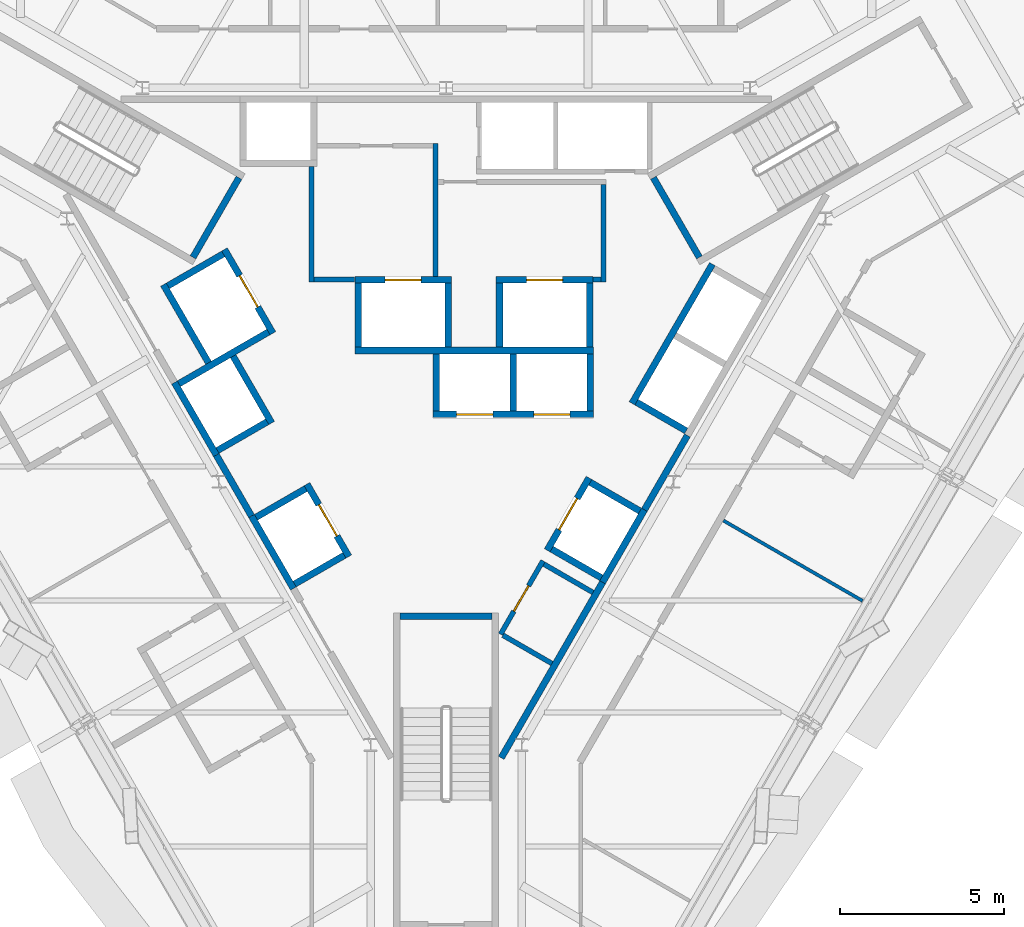
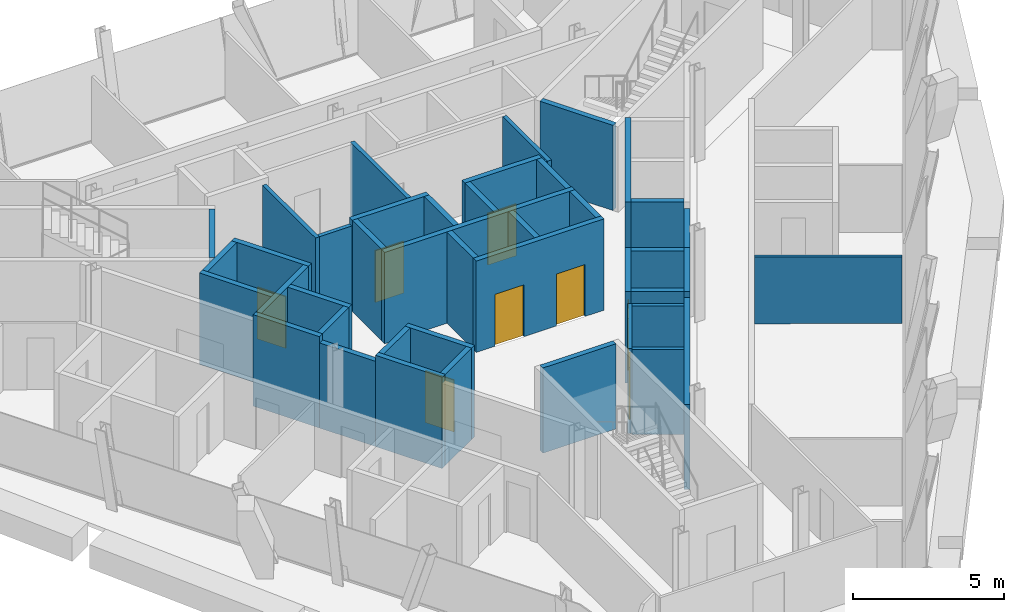
# One storey, part 7 of 10: 43 walls, 8 doors, 8 openings.
"""IFC4 building model written with IfcOpenShell, lengths in metres."""

from ifc_helpers import new_model, si_unit, direction, frame, frame_2d, origin, place, context, subcontext, project, spatial, rectangle, extrude, material, layer, layer_set, type_object, element, fill, save


model = new_model("IFC4")

# Units and contexts
model_context = context("Model", 3, precision=1e-05, world=origin(), true_north=direction((0.0, 1.0)))
body_context = subcontext(model_context, "Body", "Model", "MODEL_VIEW")
ifc_project = project(units=[si_unit("LENGTHUNIT", "METRE"), si_unit("AREAUNIT", "SQUARE_METRE"), si_unit("VOLUMEUNIT", "CUBIC_METRE"), si_unit("PLANEANGLEUNIT", "RADIAN"), si_unit("MASSUNIT", "GRAM", prefix="KILO")], contexts=[model_context])

# Site, building, storey
site_placement = place(None, origin())
site = spatial("IfcSite", under=ifc_project, at=site_placement, CompositionType="ELEMENT")
building_placement = place(site_placement, origin())
building = spatial("IfcBuilding", under=site, at=building_placement, Name="Verrane Prism Tower", CompositionType="ELEMENT")
storey_placement = place(building_placement, frame((0.0, 0.0, 213.800048828125)))
storey = spatial("IfcBuildingStorey", under=building, at=storey_placement, Name="L53", CompositionType="ELEMENT", Elevation=213.800048828125)

# Walls
ifc_material_1 = material(Name="Gypsum board partition", Category="other")
ifc_layer_1 = layer(ifc_material_1, 0.199951171875)
ifc_layer_set_1 = layer_set([ifc_layer_1], Name="CW-200 core boundary wall 2 h")
wall_type_1 = type_object("IfcWallType", Name="CW-200 core boundary wall 2 h", PredefinedType="PARTITIONING", material=ifc_layer_set_1)
wall_1_placement = place(storey_placement, frame((-7.0048828125, -3.18701171875, 0.0), z_axis=(0.0, 0.0, 1.0), x_axis=(0.499689606989, -0.866204535123, 0.0)))
element("IfcWall", 1, at=wall_1_placement, inside=storey, type_object=wall_type_1, Name="Core boundary wall CW3-003", PredefinedType="PARTITIONING", context=body_context, shape_type="SweptSolid", body=[
    extrude(rectangle(XDim=2.144775390625, YDim=0.199951171875, at=frame_2d((1.072265625, 0.0))), origin(), (0.0, 0.0, 1.0), 3.449951171875),
])
wall_2_placement = place(storey_placement, frame((1.677490234375, -12.414794921875, 0.0), z_axis=(0.0, 0.0, 1.0), x_axis=(0.500054337157, 0.865994029939, 0.0)))
element("IfcWall", 2, at=wall_2_placement, inside=storey, type_object=wall_type_1, Name="Core boundary wall CW3-006", PredefinedType="PARTITIONING", context=body_context, shape_type="SweptSolid", body=[
    extrude(rectangle(XDim=6.176513671875, YDim=0.199951171875, at=frame_2d((3.08837890625, 0.0))), origin(), (0.0, 0.0, 1.0), 3.449951171875),
])
wall_3_placement = place(storey_placement, frame((6.0419921875, -4.85498046875, 0.0), z_axis=(0.0, 0.0, 1.0), x_axis=(0.500252727967, 0.865879442048, 0.0)))
element("IfcWall", 3, at=wall_3_placement, inside=storey, type_object=wall_type_1, Name="Core boundary wall CW3-007", PredefinedType="PARTITIONING", context=body_context, shape_type="SweptSolid", body=[
    extrude(rectangle(XDim=2.616943359375, YDim=0.199951171875, at=frame_2d((1.30859375, 0.0))), origin(), (0.0, 0.0, 1.0), 3.449951171875),
])
ifc_material_2 = material(Name="Concrete C40/50", Category="concrete")
ifc_layer_2 = layer(ifc_material_2, 0.199951171875)
ifc_layer_set_2 = layer_set([ifc_layer_2], Name="CW-200 stair core wall concrete C40/50 3 h")
wall_type_2 = type_object("IfcWallType", Name="CW-200 stair core wall concrete C40/50 3 h", PredefinedType="PARTITIONING", material=ifc_layer_set_2)
for number, where, z_axis, x_axis, name in (
    (4, (7.71484375, 2.837646484375, 0.0), (0.0, 0.0, 1.0), (-0.500049511043, 0.865996816683, 0.0), "Stair 1 enclosure wall"),
    (5, (-6.314697265625, 5.262451171875, 0.0), (0.0, 0.0, 1.0), (-0.500049511043, -0.865996816683, 0.0), "Stair 2 enclosure wall"),
):
    element("IfcWall", number, at=place(storey_placement, frame(where, z_axis=z_axis, x_axis=x_axis)), inside=storey, type_object=wall_type_2, Name=name, PredefinedType="PARTITIONING", context=body_context, shape_type="SweptSolid", body=[
        extrude(rectangle(XDim=2.800048828125, YDim=0.199951171875, at=frame_2d((1.39990234375, 0.0))), origin(), (0.0, 0.0, 1.0), 3.449951171875),
    ])
wall_4_placement = place(storey_placement, frame((-1.39990234375, -8.10009765625, 0.0), z_axis=(0.0, 0.0, 1.0), x_axis=(1.0, 0.0, 0.0)))
element("IfcWall", 6, at=wall_4_placement, inside=storey, type_object=wall_type_2, Name="Stair 3 enclosure wall", PredefinedType="PARTITIONING", context=body_context, shape_type="SweptSolid", body=[
    extrude(rectangle(XDim=2.7998046875, YDim=0.199951171875, at=frame_2d((1.39990234375, 0.0))), origin(), (0.0, 0.0, 1.0), 3.449951171875),
])

# Wall, openings, doors
ifc_material_3 = material(Name="Gypsum board shaft wall assembly", Category="other")
ifc_layer_3 = layer(ifc_material_3, 0.199951171875)
ifc_layer_set_3 = layer_set([ifc_layer_3], Name="HW-200 lift shaft wall 2 h")
wall_type_3 = type_object("IfcWallType", Name="HW-200 lift shaft wall 2 h", PredefinedType="PARTITIONING", material=ifc_layer_set_3)
wall_5_placement = place(storey_placement, frame((-0.405029296875, -1.949951171875, 0.0), z_axis=(0.0, 0.0, 1.0), x_axis=(1.0, 0.0, 0.0)))
wall_5 = element("IfcWall", 7, at=wall_5_placement, inside=storey, type_object=wall_type_3, Name="Lift shaft wall", PredefinedType="PARTITIONING", context=body_context, shape_type="SweptSolid", body=[
    extrude(rectangle(XDim=4.900146484375, YDim=0.199951171875, at=frame_2d((2.4501953125, 0.0))), origin(), (0.0, 0.0, 1.0), 3.699951171875),
])
opening_1_placement = place(wall_5_placement, frame((0.72509765625, 0.0, 0.0)))
opening_1 = element("IfcOpeningElement", 8, at=opening_1_placement, cuts=wall_5, Name="Opening D51503", PredefinedType="OPENING", context=body_context, shape_type="SweptSolid", body=[
    extrude(rectangle(XDim=1.10009765625, YDim=2.10009765625, at=frame_2d((0.550048828125, 1.050048828125))), frame((0.0, 0.10986328125, 0.0), z_axis=(0.0, -1.0, 0.0), x_axis=(1.0, 0.0, 0.0)), (0.0, 0.0, 1.0), 0.219970703125),
])
opening_2_placement = place(wall_5_placement, frame((3.074951171875, 0.0, 0.0)))
opening_2 = element("IfcOpeningElement", 9, at=opening_2_placement, cuts=wall_5, Name="Opening D51504", PredefinedType="OPENING", context=body_context, shape_type="SweptSolid", body=[
    extrude(rectangle(XDim=1.10009765625, YDim=2.10009765625, at=frame_2d((0.550048828125, 1.050048828125))), frame((0.0, 0.10986328125, 0.0), z_axis=(0.0, -1.0, 0.0), x_axis=(1.0, 0.0, 0.0)), (0.0, 0.0, 1.0), 0.219970703125),
])
ifc_material_4 = material(Name="Stainless steel sliding landing door", Category="steel")
door_type_1 = type_object("IfcDoorType", Name="LD-1100x2100 lift landing door FD90 sliding", OperationType="NOTDEFINED", PredefinedType="DOOR", material=ifc_material_4)
door_1_placement = place(opening_1_placement, origin())
door_1 = element("IfcDoor", 10, at=door_1_placement, inside=storey, type_object=door_type_1, Name="Bank B lift 1 landing door", OperationType="SLIDING_TO_LEFT", OverallHeight=2.10009765625, OverallWidth=1.10009765625, PredefinedType="DOOR", context=body_context, shape_type="SweptSolid", body=[
    extrude(rectangle(XDim=1.10009765625, YDim=2.10009765625, at=frame_2d((0.550048828125, 1.050048828125))), frame((0.0, 0.02490234375, 0.0), z_axis=(0.0, -1.0, 0.0), x_axis=(1.0, 0.0, 0.0)), (0.0, 0.0, 1.0), 0.050048828125),
])
fill(opening_1, door_1)
door_2_placement = place(opening_2_placement, origin())
door_2 = element("IfcDoor", 11, at=door_2_placement, inside=storey, type_object=door_type_1, Name="Bank B lift 2 landing door", OperationType="SLIDING_TO_RIGHT", OverallHeight=2.10009765625, OverallWidth=1.10009765625, PredefinedType="DOOR", context=body_context, shape_type="SweptSolid", body=[
    extrude(rectangle(XDim=1.10009765625, YDim=2.10009765625, at=frame_2d((0.550048828125, 1.050048828125))), frame((0.0, 0.02490234375, 0.0), z_axis=(0.0, -1.0, 0.0), x_axis=(1.0, 0.0, 0.0)), (0.0, 0.0, 1.0), 0.050048828125),
])
fill(opening_2, door_2)

# Wall
wall_6_placement = place(storey_placement, frame((-2.784912109375, 0.0, 0.0), z_axis=(0.0, 0.0, 1.0), x_axis=(1.0, 0.0, 0.0)))
element("IfcWall", 12, at=wall_6_placement, inside=storey, type_object=wall_type_3, Name="Lift shaft wall", PredefinedType="PARTITIONING", context=body_context, shape_type="SweptSolid", body=[
    extrude(rectangle(XDim=7.280029296875, YDim=0.199951171875, at=frame_2d((3.64013671875, 0.0))), origin(), (0.0, 0.0, 1.0), 3.699951171875),
])

# Wall, opening, door
wall_7_placement = place(storey_placement, frame((-2.784912109375, 2.14990234375, 0.0), z_axis=(0.0, 0.0, 1.0), x_axis=(1.0, 0.0, 0.0)))
wall_7 = element("IfcWall", 13, at=wall_7_placement, inside=storey, type_object=wall_type_3, Name="Lift shaft wall", PredefinedType="PARTITIONING", context=body_context, shape_type="SweptSolid", body=[
    extrude(rectangle(XDim=2.949951171875, YDim=0.199951171875, at=frame_2d((1.47509765625, 0.0))), origin(), (0.0, 0.0, 1.0), 3.699951171875),
])
opening_3_placement = place(wall_7_placement, frame((0.925048828125, 0.0, 0.0)))
opening_3 = element("IfcOpeningElement", 14, at=opening_3_placement, cuts=wall_7, Name="Opening D51507", PredefinedType="OPENING", context=body_context, shape_type="SweptSolid", body=[
    extrude(rectangle(XDim=1.10009765625, YDim=2.10009765625, at=frame_2d((0.550048828125, 1.050048828125))), frame((0.0, 0.10986328125, 0.0), z_axis=(0.0, -1.0, 0.0), x_axis=(1.0, 0.0, 0.0)), (0.0, 0.0, 1.0), 0.219970703125),
])
door_3_placement = place(opening_3_placement, origin())
door_3 = element("IfcDoor", 15, at=door_3_placement, inside=storey, type_object=door_type_1, Name="Fire service lift 1 landing door", OperationType="SLIDING_TO_LEFT", OverallHeight=2.10009765625, OverallWidth=1.10009765625, PredefinedType="DOOR", context=body_context, shape_type="SweptSolid", body=[
    extrude(rectangle(XDim=1.10009765625, YDim=2.10009765625, at=frame_2d((0.550048828125, 1.050048828125))), frame((0.0, 0.02490234375, 0.0), z_axis=(0.0, -1.0, 0.0), x_axis=(1.0, 0.0, 0.0)), (0.0, 0.0, 1.0), 0.050048828125),
])
fill(opening_3, door_3)

wall_8_placement = place(storey_placement, frame((1.52490234375, 2.14990234375, 0.0), z_axis=(0.0, 0.0, 1.0), x_axis=(1.0, 0.0, 0.0)))
wall_8 = element("IfcWall", 16, at=wall_8_placement, inside=storey, type_object=wall_type_3, Name="Lift shaft wall", PredefinedType="PARTITIONING", context=body_context, shape_type="SweptSolid", body=[
    extrude(rectangle(XDim=2.9501953125, YDim=0.199951171875, at=frame_2d((1.47509765625, 0.0))), origin(), (0.0, 0.0, 1.0), 3.699951171875),
])
opening_4_placement = place(wall_8_placement, frame((0.925048828125, 0.0, 0.0)))
opening_4 = element("IfcOpeningElement", 17, at=opening_4_placement, cuts=wall_8, Name="Opening D51508", PredefinedType="OPENING", context=body_context, shape_type="SweptSolid", body=[
    extrude(rectangle(XDim=1.10009765625, YDim=2.10009765625, at=frame_2d((0.550048828125, 1.050048828125))), frame((0.0, 0.10986328125, 0.0), z_axis=(0.0, -1.0, 0.0), x_axis=(1.0, 0.0, 0.0)), (0.0, 0.0, 1.0), 0.219970703125),
])
door_4_placement = place(opening_4_placement, origin())
door_4 = element("IfcDoor", 18, at=door_4_placement, inside=storey, type_object=door_type_1, Name="Fire service lift 2 landing door", OperationType="SLIDING_TO_RIGHT", OverallHeight=2.10009765625, OverallWidth=1.10009765625, PredefinedType="DOOR", context=body_context, shape_type="SweptSolid", body=[
    extrude(rectangle(XDim=1.10009765625, YDim=2.10009765625, at=frame_2d((0.550048828125, 1.050048828125))), frame((0.0, 0.02490234375, 0.0), z_axis=(0.0, -1.0, 0.0), x_axis=(1.0, 0.0, 0.0)), (0.0, 0.0, 1.0), 0.050048828125),
])
fill(opening_4, door_4)

# Walls
for number, where, z_axis, x_axis, name in (
    (19, (-4.61962890625, -7.118408203125, 0.0), (0.0, 0.0, 1.0), (0.866036909293, 0.499980071345, 0.0), "Lift shaft wall"),
    (20, (-5.794677734375, -5.083251953125, 0.0), (0.0, 0.0, 1.0), (0.866036909293, 0.499980071345, 0.0), "Lift shaft wall"),
    (21, (-6.9697265625, -3.048095703125, 0.0), (0.0, 0.0, 1.0), (0.866036909293, 0.499980071345, 0.0), "Lift shaft wall"),
):
    element("IfcWall", number, at=place(storey_placement, frame(where, z_axis=z_axis, x_axis=x_axis)), inside=storey, type_object=wall_type_3, Name=name, PredefinedType="PARTITIONING", context=body_context, shape_type="SweptSolid", body=[
        extrude(rectangle(XDim=1.75, YDim=0.199951171875, at=frame_2d((0.875, 0.0))), origin(), (0.0, 0.0, 1.0), 3.699951171875),
    ])
wall_9_placement = place(storey_placement, frame((-8.14453125, -1.012939453125, 0.0), z_axis=(0.0, 0.0, 1.0), x_axis=(0.866016494683, 0.500015430699, 0.0)))
element("IfcWall", 22, at=wall_9_placement, inside=storey, type_object=wall_type_3, Name="Lift shaft wall", PredefinedType="PARTITIONING", context=body_context, shape_type="SweptSolid", body=[
    extrude(rectangle(XDim=3.14990234375, YDim=0.199951171875, at=frame_2d((1.574951171875, 0.0))), origin(), (0.0, 0.0, 1.0), 3.699951171875),
])
wall_10_placement = place(storey_placement, frame((-8.48046875, 1.968505859375, 0.0), z_axis=(0.0, 0.0, 1.0), x_axis=(0.866000020948, 0.500043961785, 0.0)))
element("IfcWall", 23, at=wall_10_placement, inside=storey, type_object=wall_type_3, Name="Lift shaft wall", PredefinedType="PARTITIONING", context=body_context, shape_type="SweptSolid", body=[
    extrude(rectangle(XDim=1.949951171875, YDim=0.199951171875, at=frame_2d((0.97509765625, 0.0))), origin(), (0.0, 0.0, 1.0), 3.699951171875),
])
wall_11_placement = place(storey_placement, frame((4.766357421875, -7.064697265625, 0.0), z_axis=(0.0, 0.0, 1.0), x_axis=(0.499948979701, 0.866054858364, 0.0)))
element("IfcWall", 24, at=wall_11_placement, inside=storey, type_object=wall_type_3, Name="Lift shaft wall", PredefinedType="PARTITIONING", context=body_context, shape_type="SweptSolid", body=[
    extrude(rectangle(XDim=2.550048828125, YDim=0.199951171875, at=frame_2d((1.27490234375, 0.0))), origin(), (0.0, 0.0, 1.0), 3.699951171875),
])

# Wall, opening, door
wall_12_placement = place(storey_placement, frame((3.077392578125, -6.089599609375, 0.0), z_axis=(0.0, 0.0, 1.0), x_axis=(0.500062241894, 0.865989465428, 0.0)))
wall_12 = element("IfcWall", 25, at=wall_12_placement, inside=storey, type_object=wall_type_3, Name="Lift shaft wall", PredefinedType="PARTITIONING", context=body_context, shape_type="SweptSolid", body=[
    extrude(rectangle(XDim=2.550048828125, YDim=0.199951171875, at=frame_2d((1.27490234375, 0.0))), origin(), (0.0, 0.0, 1.0), 3.699951171875),
])
opening_5_placement = place(wall_12_placement, frame((0.72509765625, 0.0, 0.0)))
opening_5 = element("IfcOpeningElement", 26, at=opening_5_placement, cuts=wall_12, Name="Opening D51505", PredefinedType="OPENING", context=body_context, shape_type="SweptSolid", body=[
    extrude(rectangle(XDim=1.10009765625, YDim=2.10009765625, at=frame_2d((0.550048828125, 1.050048828125))), frame((0.0, 0.10986328125, 0.0), z_axis=(0.0, -1.0, 0.0), x_axis=(1.0, 0.0, 0.0)), (0.0, 0.0, 1.0), 0.219970703125),
])
door_5_placement = place(opening_5_placement, origin())
door_5 = element("IfcDoor", 27, at=door_5_placement, inside=storey, type_object=door_type_1, Name="Bank B lift 3 landing door", OperationType="SLIDING_TO_LEFT", OverallHeight=2.10009765625, OverallWidth=1.10009765625, PredefinedType="DOOR", context=body_context, shape_type="SweptSolid", body=[
    extrude(rectangle(XDim=1.10009765625, YDim=2.10009765625, at=frame_2d((0.550048828125, 1.050048828125))), frame((0.0, 0.02490234375, 0.0), z_axis=(0.0, -1.0, 0.0), x_axis=(1.0, 0.0, 0.0)), (0.0, 0.0, 1.0), 0.050048828125),
])
fill(opening_5, door_5)

# Walls
wall_13_placement = place(storey_placement, frame((5.66259765625, -1.6123046875, 0.0), z_axis=(0.0, 0.0, 1.0), x_axis=(0.49998122708, 0.866036242063, 0.0)))
element("IfcWall", 28, at=wall_13_placement, inside=storey, type_object=wall_type_3, Name="Lift shaft wall", PredefinedType="PARTITIONING", context=body_context, shape_type="SweptSolid", body=[
    extrude(rectangle(XDim=4.900146484375, YDim=0.199951171875, at=frame_2d((2.4501953125, 0.0))), origin(), (0.0, 0.0, 1.0), 3.699951171875),
])
wall_14_placement = place(storey_placement, frame((4.39501953125, -1.85009765625, 0.0), z_axis=(0.0, 0.0, 1.0), x_axis=(0.0, 1.0, 0.0)))
element("IfcWall", 29, at=wall_14_placement, inside=storey, type_object=wall_type_3, Name="Lift shaft wall", PredefinedType="PARTITIONING", context=body_context, shape_type="SweptSolid", body=[
    extrude(rectangle(XDim=1.75, YDim=0.199951171875, at=frame_2d((0.875, 0.0))), origin(), (0.0, 0.0, 1.0), 3.699951171875),
])
wall_15_placement = place(storey_placement, frame((4.375, 0.10009765625, 0.0), z_axis=(0.0, 0.0, 1.0), x_axis=(0.0, 1.0, 0.0)))
element("IfcWall", 30, at=wall_15_placement, inside=storey, type_object=wall_type_3, Name="Lift shaft wall", PredefinedType="PARTITIONING", context=body_context, shape_type="SweptSolid", body=[
    extrude(rectangle(XDim=1.949951171875, YDim=0.199951171875, at=frame_2d((0.97509765625, 0.0))), origin(), (0.0, 0.0, 1.0), 3.699951171875),
])
wall_16_placement = place(storey_placement, frame((2.044921875, -1.85009765625, 0.0), z_axis=(0.0, 0.0, 1.0), x_axis=(0.0, 1.0, 0.0)))
element("IfcWall", 31, at=wall_16_placement, inside=storey, type_object=wall_type_3, Name="Lift shaft wall", PredefinedType="PARTITIONING", context=body_context, shape_type="SweptSolid", body=[
    extrude(rectangle(XDim=1.75, YDim=0.199951171875, at=frame_2d((0.875, 0.0))), origin(), (0.0, 0.0, 1.0), 3.699951171875),
])
for number, where, z_axis, x_axis, name in (
    (32, (1.625, 0.10009765625, 0.0), (0.0, 0.0, 1.0), (0.0, 1.0, 0.0), "Lift shaft wall"),
    (33, (0.06494140625, 0.10009765625, 0.0), (0.0, 0.0, 1.0), (0.0, 1.0, 0.0), "Lift shaft wall"),
):
    element("IfcWall", number, at=place(storey_placement, frame(where, z_axis=z_axis, x_axis=x_axis)), inside=storey, type_object=wall_type_3, Name=name, PredefinedType="PARTITIONING", context=body_context, shape_type="SweptSolid", body=[
        extrude(rectangle(XDim=1.949951171875, YDim=0.199951171875, at=frame_2d((0.97509765625, 0.0))), origin(), (0.0, 0.0, 1.0), 3.699951171875),
    ])
wall_17_placement = place(storey_placement, frame((-0.304931640625, -1.85009765625, 0.0), z_axis=(0.0, 0.0, 1.0), x_axis=(0.0, 1.0, 0.0)))
element("IfcWall", 34, at=wall_17_placement, inside=storey, type_object=wall_type_3, Name="Lift shaft wall", PredefinedType="PARTITIONING", context=body_context, shape_type="SweptSolid", body=[
    extrude(rectangle(XDim=1.75, YDim=0.199951171875, at=frame_2d((0.875, 0.0))), origin(), (0.0, 0.0, 1.0), 3.699951171875),
])
wall_18_placement = place(storey_placement, frame((-2.68505859375, 0.10009765625, 0.0), z_axis=(0.0, 0.0, 1.0), x_axis=(0.0, 1.0, 0.0)))
element("IfcWall", 35, at=wall_18_placement, inside=storey, type_object=wall_type_3, Name="Lift shaft wall", PredefinedType="PARTITIONING", context=body_context, shape_type="SweptSolid", body=[
    extrude(rectangle(XDim=1.949951171875, YDim=0.199951171875, at=frame_2d((0.97509765625, 0.0))), origin(), (0.0, 0.0, 1.0), 3.699951171875),
])

# Wall, opening, door
wall_19_placement = place(storey_placement, frame((-5.280029296875, 0.525390625, 0.0), z_axis=(0.0, 0.0, 1.0), x_axis=(-0.500037662692, 0.866003658127, 0.0)))
wall_19 = element("IfcWall", 36, at=wall_19_placement, inside=storey, type_object=wall_type_3, Name="Lift shaft wall", PredefinedType="PARTITIONING", context=body_context, shape_type="SweptSolid", body=[
    extrude(rectangle(XDim=2.949951171875, YDim=0.199951171875, at=frame_2d((1.47509765625, 0.0))), origin(), (0.0, 0.0, 1.0), 3.699951171875),
])
opening_6_placement = place(wall_19_placement, frame((0.925048828125, 0.0, 0.0)))
opening_6 = element("IfcOpeningElement", 37, at=opening_6_placement, cuts=wall_19, Name="Opening D51509", PredefinedType="OPENING", context=body_context, shape_type="SweptSolid", body=[
    extrude(rectangle(XDim=1.10009765625, YDim=2.10009765625, at=frame_2d((0.550048828125, 1.050048828125))), frame((0.0, 0.10986328125, 0.0), z_axis=(0.0, -1.0, 0.0), x_axis=(1.0, 0.0, 0.0)), (0.0, 0.0, 1.0), 0.219970703125),
])
door_6_placement = place(opening_6_placement, origin())
door_6 = element("IfcDoor", 38, at=door_6_placement, inside=storey, type_object=door_type_1, Name="Service lift 1 landing door", OperationType="SLIDING_TO_LEFT", OverallHeight=2.10009765625, OverallWidth=1.10009765625, PredefinedType="DOOR", context=body_context, shape_type="SweptSolid", body=[
    extrude(rectangle(XDim=1.10009765625, YDim=2.10009765625, at=frame_2d((0.550048828125, 1.050048828125))), frame((0.0, 0.02490234375, 0.0), z_axis=(0.0, -1.0, 0.0), x_axis=(1.0, 0.0, 0.0)), (0.0, 0.0, 1.0), 0.050048828125),
])
fill(opening_6, door_6)

wall_20_placement = place(storey_placement, frame((-2.967529296875, -6.280029296875, 0.0), z_axis=(0.0, 0.0, 1.0), x_axis=(-0.499990435942, 0.866030925526, 0.0)))
wall_20 = element("IfcWall", 39, at=wall_20_placement, inside=storey, type_object=wall_type_3, Name="Lift shaft wall", PredefinedType="PARTITIONING", context=body_context, shape_type="SweptSolid", body=[
    extrude(rectangle(XDim=2.5498046875, YDim=0.199951171875, at=frame_2d((1.27490234375, 0.0))), origin(), (0.0, 0.0, 1.0), 3.699951171875),
])
opening_7_placement = place(wall_20_placement, frame((0.72509765625, 0.0, 0.0)))
opening_7 = element("IfcOpeningElement", 40, at=opening_7_placement, cuts=wall_20, Name="Opening D51506", PredefinedType="OPENING", context=body_context, shape_type="SweptSolid", body=[
    extrude(rectangle(XDim=1.10009765625, YDim=2.10009765625, at=frame_2d((0.550048828125, 1.050048828125))), frame((0.0, 0.10986328125, 0.0), z_axis=(0.0, -1.0, 0.0), x_axis=(1.0, 0.0, 0.0)), (0.0, 0.0, 1.0), 0.219970703125),
])
door_7_placement = place(opening_7_placement, origin())
door_7 = element("IfcDoor", 41, at=door_7_placement, inside=storey, type_object=door_type_1, Name="Bank B lift 4 landing door", OperationType="SLIDING_TO_RIGHT", OverallHeight=2.10009765625, OverallWidth=1.10009765625, PredefinedType="DOOR", context=body_context, shape_type="SweptSolid", body=[
    extrude(rectangle(XDim=1.10009765625, YDim=2.10009765625, at=frame_2d((0.550048828125, 1.050048828125))), frame((0.0, 0.02490234375, 0.0), z_axis=(0.0, -1.0, 0.0), x_axis=(1.0, 0.0, 0.0)), (0.0, 0.0, 1.0), 0.050048828125),
])
fill(opening_7, door_7)

# Walls
wall_21_placement = place(storey_placement, frame((-5.317626953125, -2.209716796875, 0.0), z_axis=(0.0, 0.0, 1.0), x_axis=(-0.499938297808, 0.866061024631, 0.0)))
element("IfcWall", 42, at=wall_21_placement, inside=storey, type_object=wall_type_3, Name="Lift shaft wall", PredefinedType="PARTITIONING", context=body_context, shape_type="SweptSolid", body=[
    extrude(rectangle(XDim=2.349853515625, YDim=0.199951171875, at=frame_2d((1.1748046875, 0.0))), origin(), (0.0, 0.0, 1.0), 3.699951171875),
])
wall_22_placement = place(storey_placement, frame((-7.241943359375, -0.37646484375, 0.0), z_axis=(0.0, 0.0, 1.0), x_axis=(-0.499996545922, 0.866027397988, 0.0)))
element("IfcWall", 43, at=wall_22_placement, inside=storey, type_object=wall_type_3, Name="Lift shaft wall", PredefinedType="PARTITIONING", context=body_context, shape_type="SweptSolid", body=[
    extrude(rectangle(XDim=2.75, YDim=0.199951171875, at=frame_2d((1.375, 0.0))), origin(), (0.0, 0.0, 1.0), 3.699951171875),
])
for number, where, z_axis, x_axis, name in (
    (44, (-4.65625, -7.255126953125, 0.0), (0.0, 0.0, 1.0), (-0.499990435942, 0.866030925526, 0.0), "Lift shaft wall"),
    (45, (-7.00634765625, -3.184814453125, 0.0), (0.0, 0.0, 1.0), (-0.499990435942, 0.866030925526, 0.0), "Lift shaft wall"),
):
    element("IfcWall", number, at=place(storey_placement, frame(where, z_axis=z_axis, x_axis=x_axis)), inside=storey, type_object=wall_type_3, Name=name, PredefinedType="PARTITIONING", context=body_context, shape_type="SweptSolid", body=[
        extrude(rectangle(XDim=2.5498046875, YDim=0.199951171875, at=frame_2d((1.27490234375, 0.0))), origin(), (0.0, 0.0, 1.0), 3.699951171875),
    ])
wall_23_placement = place(storey_placement, frame((7.314697265625, -2.45068359375, 0.0), z_axis=(0.0, 0.0, 1.0), x_axis=(-0.866036909293, 0.499980071345, 0.0)))
element("IfcWall", 46, at=wall_23_placement, inside=storey, type_object=wall_type_3, Name="Lift shaft wall", PredefinedType="PARTITIONING", context=body_context, shape_type="SweptSolid", body=[
    extrude(rectangle(XDim=1.75, YDim=0.199951171875, at=frame_2d((0.875, 0.0))), origin(), (0.0, 0.0, 1.0), 3.699951171875),
])
wall_24_placement = place(storey_placement, frame((5.904541015625, -4.892822265625, 0.0), z_axis=(0.0, 0.0, 1.0), x_axis=(-0.866002029911, 0.500040482552, 0.0)))
element("IfcWall", 47, at=wall_24_placement, inside=storey, type_object=wall_type_3, Name="Lift shaft wall", PredefinedType="PARTITIONING", context=body_context, shape_type="SweptSolid", body=[
    extrude(rectangle(XDim=1.749755859375, YDim=0.199951171875, at=frame_2d((0.875, 0.0))), origin(), (0.0, 0.0, 1.0), 3.699951171875),
])
wall_25_placement = place(storey_placement, frame((4.729736328125, -6.927978515625, 0.0), z_axis=(0.0, 0.0, 1.0), x_axis=(-0.866036909293, 0.499980071345, 0.0)))
element("IfcWall", 48, at=wall_25_placement, inside=storey, type_object=wall_type_3, Name="Lift shaft wall", PredefinedType="PARTITIONING", context=body_context, shape_type="SweptSolid", body=[
    extrude(rectangle(XDim=1.75, YDim=0.199951171875, at=frame_2d((0.875, 0.0))), origin(), (0.0, 0.0, 1.0), 3.699951171875),
])
ifc_material_5 = material(Name="Gypsum board partition", Category="other")
ifc_layer_4 = layer(ifc_material_5, 0.14990234375)
ifc_layer_set_4 = layer_set([ifc_layer_4], Name="LF-150 firefighting lobby wall 1 h")
wall_type_4 = type_object("IfcWallType", Name="LF-150 firefighting lobby wall 1 h", PredefinedType="PARTITIONING", material=ifc_layer_set_4)
wall_26_placement = place(storey_placement, frame((-4.10009765625, 2.0849609375, 0.0), z_axis=(0.0, 0.0, 1.0), x_axis=(0.0, 1.0, 0.0)))
element("IfcWall", 49, at=wall_26_placement, inside=storey, type_object=wall_type_4, Name="Firefighting lobby wall LF1-001", PredefinedType="PARTITIONING", context=body_context, shape_type="SweptSolid", body=[
    extrude(rectangle(XDim=3.52294921875, YDim=0.14990234375, at=frame_2d((1.761474609375, 0.0))), origin(), (0.0, 0.0, 1.0), 3.449951171875),
])
wall_27_placement = place(storey_placement, frame((-4.02490234375, 2.159912109375, 0.0), z_axis=(0.0, 0.0, 1.0), x_axis=(1.0, 0.0, 0.0)))
element("IfcWall", 50, at=wall_27_placement, inside=storey, type_object=wall_type_4, Name="Firefighting lobby wall LF1-002", PredefinedType="PARTITIONING", context=body_context, shape_type="SweptSolid", body=[
    extrude(rectangle(XDim=1.23779296875, YDim=0.14990234375, at=frame_2d((0.618896484375, 0.0))), origin(), (0.0, 0.0, 1.0), 3.449951171875),
])
wall_28_placement = place(storey_placement, frame((-0.320068359375, 2.251953125, 0.0), z_axis=(0.0, 0.0, 1.0), x_axis=(0.0, 1.0, 0.0)))
element("IfcWall", 51, at=wall_28_placement, inside=storey, type_object=wall_type_4, Name="Firefighting lobby wall LF1-004", PredefinedType="PARTITIONING", context=body_context, shape_type="SweptSolid", body=[
    extrude(rectangle(XDim=4.06298828125, YDim=0.14990234375, at=frame_2d((2.031494140625, 0.0))), origin(), (0.0, 0.0, 1.0), 3.449951171875),
])
wall_29_placement = place(storey_placement, frame((4.47705078125, 2.159912109375, 0.0), z_axis=(0.0, 0.0, 1.0), x_axis=(1.0, 0.0, 0.0)))
element("IfcWall", 52, at=wall_29_placement, inside=storey, type_object=wall_type_4, Name="Firefighting lobby wall LF1-006", PredefinedType="PARTITIONING", context=body_context, shape_type="SweptSolid", body=[
    extrude(rectangle(XDim=0.238037109375, YDim=0.14990234375, at=frame_2d((0.119140625, 0.0))), origin(), (0.0, 0.0, 1.0), 3.449951171875),
])
wall_30_placement = place(storey_placement, frame((4.7900390625, 2.0849609375, 0.0), z_axis=(0.0, 0.0, 1.0), x_axis=(0.0, 1.0, 0.0)))
element("IfcWall", 53, at=wall_30_placement, inside=storey, type_object=wall_type_4, Name="Firefighting lobby wall LF1-007", PredefinedType="PARTITIONING", context=body_context, shape_type="SweptSolid", body=[
    extrude(rectangle(XDim=2.97998046875, YDim=0.14990234375, at=frame_2d((1.489990234375, 0.0))), origin(), (0.0, 0.0, 1.0), 3.449951171875),
])
ifc_material_6 = material(Name="Gypsum board partition", Category="other")
ifc_layer_5 = layer(ifc_material_6, 0.10009765625)
ifc_layer_set_5 = layer_set([ifc_layer_5], Name="PW-100 room partition")
wall_type_5 = type_object("IfcWallType", Name="PW-100 room partition", PredefinedType="PARTITIONING", material=ifc_layer_set_5)
wall_31_placement = place(storey_placement, frame((8.447021484375, -5.182373046875, 0.0), z_axis=(0.0, 0.0, 1.0), x_axis=(0.866106755222, -0.499859068697, 0.0)))
element("IfcWall", 54, at=wall_31_placement, inside=storey, type_object=wall_type_5, Name="Room partition 030", PredefinedType="PARTITIONING", context=body_context, shape_type="SweptSolid", body=[
    extrude(rectangle(XDim=4.89892578125, YDim=0.10009765625, at=frame_2d((2.449462890625, 0.0))), origin(), (0.0, 0.0, 1.0), 2.712890625),
])

# Wall, opening, door
ifc_material_7 = material(Name="Gypsum board partition", Category="other")
ifc_layer_6 = layer(ifc_material_7, 0.14990234375)
ifc_layer_set_6 = layer_set([ifc_layer_6], Name="RS-150 riser enclosure wall 1 h")
wall_type_6 = type_object("IfcWallType", Name="RS-150 riser enclosure wall 1 h", PredefinedType="PARTITIONING", material=ifc_layer_set_6)
wall_32_placement = place(storey_placement, frame((2.950439453125, -6.408935546875, 0.0), z_axis=(0.0, 0.0, 1.0), x_axis=(-0.499978610854, -0.866037752461, 0.0)))
wall_32 = element("IfcWall", 55, at=wall_32_placement, inside=storey, type_object=wall_type_6, Name="Riser wall RS3-003", PredefinedType="PARTITIONING", context=body_context, shape_type="SweptSolid", body=[
    extrude(rectangle(XDim=2.5849609375, YDim=0.14990234375, at=frame_2d((1.29248046875, 0.0))), origin(), (0.0, 0.0, 1.0), 3.449951171875),
])
opening_8_placement = place(wall_32_placement, frame((0.875, 0.0, 0.0)))
opening_8 = element("IfcOpeningElement", 56, at=opening_8_placement, cuts=wall_32, Name="Opening D51516", PredefinedType="OPENING", context=body_context, shape_type="SweptSolid", body=[
    extrude(rectangle(XDim=0.89990234375, YDim=2.10009765625, at=frame_2d((0.449951171875, 1.050048828125))), frame((0.0, 0.0849609375, 0.0), z_axis=(0.0, -1.0, 0.0), x_axis=(1.0, 0.0, 0.0)), (0.0, 0.0, 1.0), 0.169921875),
])
ifc_material_8 = material(Name="Timber veneered door leaf", Category="wood")
door_type_2 = type_object("IfcDoorType", Name="DR-900x2100 FD20 single leaf store", OperationType="NOTDEFINED", PredefinedType="DOOR", material=ifc_material_8)
door_8_placement = place(opening_8_placement, origin())
door_8 = element("IfcDoor", 57, at=door_8_placement, inside=storey, type_object=door_type_2, Name="Room door D51516", OperationType="SINGLE_SWING_RIGHT", OverallHeight=2.10009765625, OverallWidth=0.89990234375, PredefinedType="DOOR", context=body_context, shape_type="SweptSolid", body=[
    extrude(rectangle(XDim=0.89990234375, YDim=2.10009765625, at=frame_2d((0.449951171875, 1.050048828125))), frame((0.0, 0.02490234375, 0.0), z_axis=(0.0, -1.0, 0.0), x_axis=(1.0, 0.0, 0.0)), (0.0, 0.0, 1.0), 0.050048828125),
])
fill(opening_8, door_8)

# Walls
for number, where, z_axis, x_axis, name in (
    (58, (1.72802734375, -8.676513671875, 0.0), (0.0, 0.0, 1.0), (0.866084276826, -0.499898015034, 0.0), "Riser wall RS3-004"),
    (59, (2.97802734375, -6.511474609375, 0.0), (0.0, 0.0, 1.0), (0.866084276826, -0.499898015034, 0.0), "Riser wall RS3-005"),
):
    element("IfcWall", number, at=place(storey_placement, frame(where, z_axis=z_axis, x_axis=x_axis)), inside=storey, type_object=wall_type_6, Name=name, PredefinedType="PARTITIONING", context=body_context, shape_type="SweptSolid", body=[
        extrude(rectangle(XDim=1.725341796875, YDim=0.14990234375, at=frame_2d((0.86279296875, 0.0))), origin(), (0.0, 0.0, 1.0), 3.449951171875),
    ])

save(model, "model.ifc")
